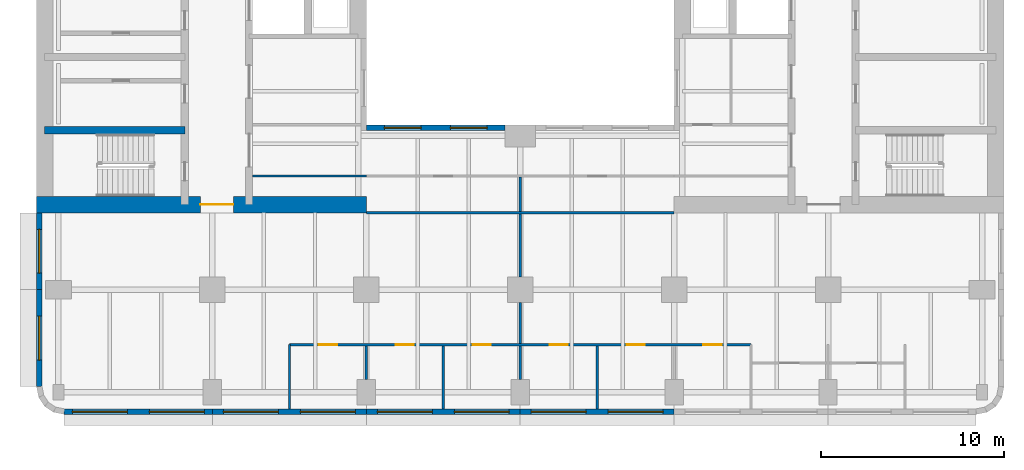
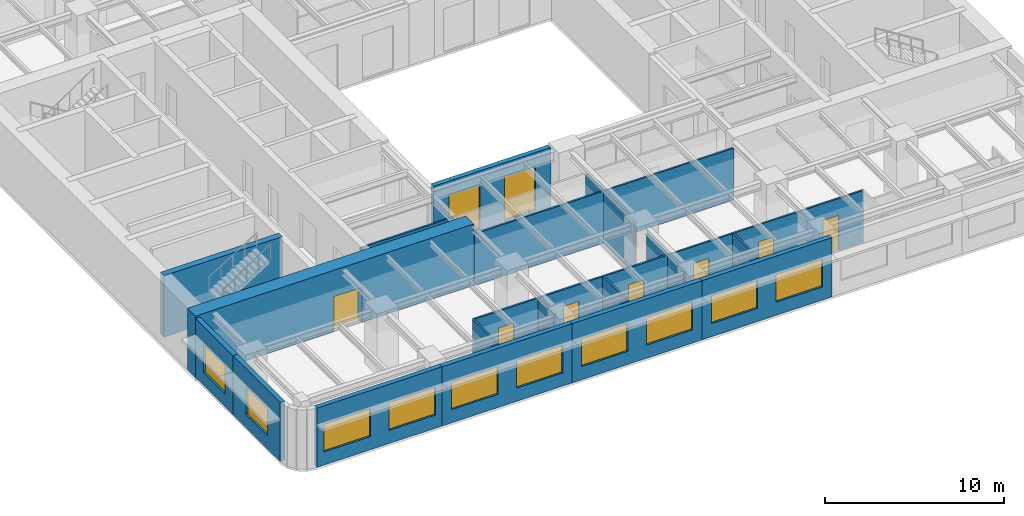
# One storey, part 3 of 11: 20 walls, 12 windows, 7 doors, 19 openings.
"""IFC4 building model written with IfcOpenShell, lengths in metres."""

from ifc_helpers import new_model, si_unit, direction, frame, frame_2d, origin, place, context, subcontext, project, spatial, rectangle, extrude, material, layer, layer_set, type_object, element, fill, save


model = new_model("IFC4")

# Units and contexts
model_context = context("Model", 3, precision=1e-05, world=origin(), true_north=direction((0.0, 1.0)))
body_context = subcontext(model_context, "Body", "Model", "MODEL_VIEW")
ifc_project = project(units=[si_unit("LENGTHUNIT", "METRE"), si_unit("AREAUNIT", "SQUARE_METRE"), si_unit("VOLUMEUNIT", "CUBIC_METRE"), si_unit("PLANEANGLEUNIT", "RADIAN"), si_unit("MASSUNIT", "GRAM", prefix="KILO")], contexts=[model_context])

# Site, building, storey
site_placement = place(None, origin())
site = spatial("IfcSite", under=ifc_project, at=site_placement, CompositionType="ELEMENT")
building_placement = place(site_placement, origin())
building = spatial("IfcBuilding", under=site, at=building_placement, Name="Claustro Exchange Tower", CompositionType="ELEMENT")
storey_placement = place(building_placement, frame((0.0, 0.0, 138.60009765625)))
storey = spatial("IfcBuildingStorey", under=building, at=storey_placement, Name="L31", CompositionType="ELEMENT", Elevation=138.60009765625)

# Wall, openings, doors
ifc_material_1 = material(Name="Laminated glass in aluminium frame", Category="aluminium")
ifc_layer_1 = layer(ifc_material_1, 0.1201171875)
ifc_layer_set_1 = layer_set([ifc_layer_1], Name="Laminated glass in aluminium frame")
wall_type_1 = type_object("IfcWallType", Name="P2 120 glazed partition", PredefinedType="PARTITIONING", material=ifc_layer_set_1)
wall_1_placement = place(storey_placement, frame((12.60009765625, 5.39990234375, 0.0), z_axis=(0.0, 0.0, 1.0), x_axis=(1.0, 0.0, 0.0)))
wall_1 = element("IfcWall", 1, at=wall_1_placement, inside=storey, type_object=wall_type_1, Name="Partition P2 L31", PredefinedType="PARTITIONING", context=body_context, shape_type="SweptSolid", body=[
    extrude(rectangle(XDim=25.199951171875, YDim=0.1201171875, at=frame_2d((12.60009765625, 0.0))), origin(), (0.0, 0.0, 1.0), 3.5498046875),
])
opening_1_placement = place(wall_1_placement, frame((1.60009765625, 0.0, 0.0)))
opening_1 = element("IfcOpeningElement", 2, at=opening_1_placement, cuts=wall_1, Name="Opening D7", PredefinedType="OPENING", context=body_context, shape_type="SweptSolid", body=[
    extrude(rectangle(XDim=1.0, YDim=2.39990234375, at=frame_2d((0.5, 1.199951171875))), frame((0.0, 0.070068359375, 0.0), z_axis=(0.0, -1.0, 0.0), x_axis=(1.0, 0.0, 0.0)), (0.0, 0.0, 1.0), 0.14013671875),
])
opening_2_placement = place(wall_1_placement, frame((5.800048828125, 0.0, 0.0)))
opening_2 = element("IfcOpeningElement", 3, at=opening_2_placement, cuts=wall_1, Name="Opening D7", PredefinedType="OPENING", context=body_context, shape_type="SweptSolid", body=[
    extrude(rectangle(XDim=1.0, YDim=2.39990234375, at=frame_2d((0.5, 1.199951171875))), frame((0.0, 0.070068359375, 0.0), z_axis=(0.0, -1.0, 0.0), x_axis=(1.0, 0.0, 0.0)), (0.0, 0.0, 1.0), 0.14013671875),
])
opening_3_placement = place(wall_1_placement, frame((10.0, 0.0, 0.0)))
opening_3 = element("IfcOpeningElement", 4, at=opening_3_placement, cuts=wall_1, Name="Opening D7", PredefinedType="OPENING", context=body_context, shape_type="SweptSolid", body=[
    extrude(rectangle(XDim=1.0, YDim=2.39990234375, at=frame_2d((0.5, 1.199951171875))), frame((0.0, 0.070068359375, 0.0), z_axis=(0.0, -1.0, 0.0), x_axis=(1.0, 0.0, 0.0)), (0.0, 0.0, 1.0), 0.14013671875),
])
opening_4_placement = place(wall_1_placement, frame((14.199951171875, 0.0, 0.0)))
opening_4 = element("IfcOpeningElement", 5, at=opening_4_placement, cuts=wall_1, Name="Opening D7", PredefinedType="OPENING", context=body_context, shape_type="SweptSolid", body=[
    extrude(rectangle(XDim=1.0, YDim=2.39990234375, at=frame_2d((0.5, 1.199951171875))), frame((0.0, 0.070068359375, 0.0), z_axis=(0.0, -1.0, 0.0), x_axis=(1.0, 0.0, 0.0)), (0.0, 0.0, 1.0), 0.14013671875),
])
opening_5_placement = place(wall_1_placement, frame((18.39990234375, 0.0, 0.0)))
opening_5 = element("IfcOpeningElement", 6, at=opening_5_placement, cuts=wall_1, Name="Opening D7", PredefinedType="OPENING", context=body_context, shape_type="SweptSolid", body=[
    extrude(rectangle(XDim=1.0, YDim=2.39990234375, at=frame_2d((0.5, 1.199951171875))), frame((0.0, 0.070068359375, 0.0), z_axis=(0.0, -1.0, 0.0), x_axis=(1.0, 0.0, 0.0)), (0.0, 0.0, 1.0), 0.14013671875),
])
opening_6_placement = place(wall_1_placement, frame((22.60009765625, 0.0, 0.0)))
opening_6 = element("IfcOpeningElement", 7, at=opening_6_placement, cuts=wall_1, Name="Opening D7", PredefinedType="OPENING", context=body_context, shape_type="SweptSolid", body=[
    extrude(rectangle(XDim=1.0, YDim=2.39990234375, at=frame_2d((0.5, 1.199951171875))), frame((0.0, 0.070068359375, 0.0), z_axis=(0.0, -1.0, 0.0), x_axis=(1.0, 0.0, 0.0)), (0.0, 0.0, 1.0), 0.14013671875),
])
ifc_material_2 = material(Name="Glass door in aluminium frame", Category="aluminium")
door_type_1 = type_object("IfcDoorType", Name="D7 1000 x 2400 glazed door", OperationType="SINGLE_SWING_LEFT", PredefinedType="DOOR", material=ifc_material_2)
door_1_placement = place(opening_1_placement, frame((1.0, 0.0, 0.0), z_axis=(0.0, 0.0, 1.0), x_axis=(-1.0, 0.0, 0.0)))
door_1 = element("IfcDoor", 8, at=door_1_placement, inside=storey, type_object=door_type_1, Name="Door D7 L31", OperationType="SINGLE_SWING_RIGHT", OverallHeight=2.39990234375, OverallWidth=1.0, PredefinedType="DOOR", context=body_context, shape_type="SweptSolid", body=[
    extrude(rectangle(XDim=1.0, YDim=2.39990234375, at=frame_2d((0.5, 1.199951171875))), frame((0.0, 0.02490234375, 0.0), z_axis=(0.0, -1.0, 0.0), x_axis=(1.0, 0.0, 0.0)), (0.0, 0.0, 1.0), 0.050048828125),
])
fill(opening_1, door_1)
door_2_placement = place(opening_2_placement, frame((1.0, 0.0, 0.0), z_axis=(0.0, 0.0, 1.0), x_axis=(-1.0, 0.0, 0.0)))
door_2 = element("IfcDoor", 9, at=door_2_placement, inside=storey, type_object=door_type_1, Name="Door D7 L31", OperationType="SINGLE_SWING_RIGHT", OverallHeight=2.39990234375, OverallWidth=1.0, PredefinedType="DOOR", context=body_context, shape_type="SweptSolid", body=[
    extrude(rectangle(XDim=1.0, YDim=2.39990234375, at=frame_2d((0.5, 1.199951171875))), frame((0.0, 0.02490234375, 0.0), z_axis=(0.0, -1.0, 0.0), x_axis=(1.0, 0.0, 0.0)), (0.0, 0.0, 1.0), 0.050048828125),
])
fill(opening_2, door_2)
door_3_placement = place(opening_3_placement, frame((1.0, 0.0, 0.0), z_axis=(0.0, 0.0, 1.0), x_axis=(-1.0, 0.0, 0.0)))
door_3 = element("IfcDoor", 10, at=door_3_placement, inside=storey, type_object=door_type_1, Name="Door D7 L31", OperationType="SINGLE_SWING_RIGHT", OverallHeight=2.39990234375, OverallWidth=1.0, PredefinedType="DOOR", context=body_context, shape_type="SweptSolid", body=[
    extrude(rectangle(XDim=1.0, YDim=2.39990234375, at=frame_2d((0.5, 1.199951171875))), frame((0.0, 0.02490234375, 0.0), z_axis=(0.0, -1.0, 0.0), x_axis=(1.0, 0.0, 0.0)), (0.0, 0.0, 1.0), 0.050048828125),
])
fill(opening_3, door_3)
door_4_placement = place(opening_4_placement, frame((1.0, 0.0, 0.0), z_axis=(0.0, 0.0, 1.0), x_axis=(-1.0, 0.0, 0.0)))
door_4 = element("IfcDoor", 11, at=door_4_placement, inside=storey, type_object=door_type_1, Name="Door D7 L31", OperationType="SINGLE_SWING_LEFT", OverallHeight=2.39990234375, OverallWidth=1.0, PredefinedType="DOOR", context=body_context, shape_type="SweptSolid", body=[
    extrude(rectangle(XDim=1.0, YDim=2.39990234375, at=frame_2d((0.5, 1.199951171875))), frame((0.0, 0.02490234375, 0.0), z_axis=(0.0, -1.0, 0.0), x_axis=(1.0, 0.0, 0.0)), (0.0, 0.0, 1.0), 0.050048828125),
])
fill(opening_4, door_4)
door_5_placement = place(opening_5_placement, frame((1.0, 0.0, 0.0), z_axis=(0.0, 0.0, 1.0), x_axis=(-1.0, 0.0, 0.0)))
door_5 = element("IfcDoor", 12, at=door_5_placement, inside=storey, type_object=door_type_1, Name="Door D7 L31", OperationType="SINGLE_SWING_RIGHT", OverallHeight=2.39990234375, OverallWidth=1.0, PredefinedType="DOOR", context=body_context, shape_type="SweptSolid", body=[
    extrude(rectangle(XDim=1.0, YDim=2.39990234375, at=frame_2d((0.5, 1.199951171875))), frame((0.0, 0.02490234375, 0.0), z_axis=(0.0, -1.0, 0.0), x_axis=(1.0, 0.0, 0.0)), (0.0, 0.0, 1.0), 0.050048828125),
])
fill(opening_5, door_5)
door_6_placement = place(opening_6_placement, frame((1.0, 0.0, 0.0), z_axis=(0.0, 0.0, 1.0), x_axis=(-1.0, 0.0, 0.0)))
door_6 = element("IfcDoor", 13, at=door_6_placement, inside=storey, type_object=door_type_1, Name="Door D7 L31", OperationType="SINGLE_SWING_LEFT", OverallHeight=2.39990234375, OverallWidth=1.0, PredefinedType="DOOR", context=body_context, shape_type="SweptSolid", body=[
    extrude(rectangle(XDim=1.0, YDim=2.39990234375, at=frame_2d((0.5, 1.199951171875))), frame((0.0, 0.02490234375, 0.0), z_axis=(0.0, -1.0, 0.0), x_axis=(1.0, 0.0, 0.0)), (0.0, 0.0, 1.0), 0.050048828125),
])
fill(opening_6, door_6)

# Walls
wall_2_placement = place(storey_placement, frame((12.60009765625, 1.89794921875, 0.0), z_axis=(0.0, 0.0, 1.0), x_axis=(0.0, 1.0, 0.0)))
element("IfcWall", 14, at=wall_2_placement, inside=storey, type_object=wall_type_1, Name="Partition P2 L31", PredefinedType="PARTITIONING", context=body_context, shape_type="SweptSolid", body=[
    extrude(rectangle(XDim=3.501953125, YDim=0.1201171875, at=frame_2d((1.7509765625, 0.0))), origin(), (0.0, 0.0, 1.0), 3.559814453125),
])
wall_3_placement = place(storey_placement, frame((16.800048828125, 3.4990234375, 0.0), z_axis=(0.0, 0.0, 1.0), x_axis=(0.0, 1.0, 0.0)))
element("IfcWall", 15, at=wall_3_placement, inside=storey, type_object=wall_type_1, Name="Partition P2 L31", PredefinedType="PARTITIONING", context=body_context, shape_type="SweptSolid", body=[
    extrude(rectangle(XDim=1.843017578125, YDim=0.1201171875, at=frame_2d((0.92138671875, 0.0))), origin(), (0.0, 0.0, 1.0), 3.5498046875),
])
wall_4_placement = place(storey_placement, frame((21.0, 1.89794921875, 0.0), z_axis=(0.0, 0.0, 1.0), x_axis=(0.0, 1.0, 0.0)))
element("IfcWall", 16, at=wall_4_placement, inside=storey, type_object=wall_type_1, Name="Partition P2 L31", PredefinedType="PARTITIONING", context=body_context, shape_type="SweptSolid", body=[
    extrude(rectangle(XDim=3.444091796875, YDim=0.1201171875, at=frame_2d((1.72216796875, 0.0))), origin(), (0.0, 0.0, 1.0), 3.559814453125),
])
wall_5_placement = place(storey_placement, frame((25.199951171875, 3.4990234375, 0.0), z_axis=(0.0, 0.0, 1.0), x_axis=(0.0, 1.0, 0.0)))
element("IfcWall", 17, at=wall_5_placement, inside=storey, type_object=wall_type_1, Name="Partition P2 L31", PredefinedType="PARTITIONING", context=body_context, shape_type="SweptSolid", body=[
    extrude(rectangle(XDim=1.843017578125, YDim=0.1201171875, at=frame_2d((0.92138671875, 0.0))), origin(), (0.0, 0.0, 1.0), 3.5498046875),
])
wall_6_placement = place(storey_placement, frame((29.39990234375, 1.89794921875, 0.0), z_axis=(0.0, 0.0, 1.0), x_axis=(0.0, 1.0, 0.0)))
element("IfcWall", 18, at=wall_6_placement, inside=storey, type_object=wall_type_1, Name="Partition P2 L31", PredefinedType="PARTITIONING", context=body_context, shape_type="SweptSolid", body=[
    extrude(rectangle(XDim=3.444091796875, YDim=0.1201171875, at=frame_2d((1.72216796875, 0.0))), origin(), (0.0, 0.0, 1.0), 3.559814453125),
])
wall_7_placement = place(storey_placement, frame((25.199951171875, 5.4580078125, 0.0), z_axis=(0.0, 0.0, 1.0), x_axis=(0.0, 1.0, 0.0)))
element("IfcWall", 19, at=wall_7_placement, inside=storey, type_object=wall_type_1, Name="Partition P2 L31", PredefinedType="PARTITIONING", context=body_context, shape_type="SweptSolid", body=[
    extrude(rectangle(XDim=2.242919921875, YDim=0.1201171875, at=frame_2d((1.12158203125, 0.0))), origin(), (0.0, 0.0, 1.0), 3.5498046875),
])
wall_8_placement = place(storey_placement, frame((25.199951171875, 9.09912109375, 0.0), z_axis=(0.0, 0.0, 1.0), x_axis=(0.0, 1.0, 0.0)))
element("IfcWall", 20, at=wall_8_placement, inside=storey, type_object=wall_type_1, Name="Partition P2 L31", PredefinedType="PARTITIONING", context=body_context, shape_type="SweptSolid", body=[
    extrude(rectangle(XDim=3.44287109375, YDim=0.1201171875, at=frame_2d((1.721435546875, 0.0))), origin(), (0.0, 0.0, 1.0), 3.5498046875),
])
wall_9_placement = place(storey_placement, frame((10.597900390625, 14.60009765625, 0.0), z_axis=(0.0, 0.0, 1.0), x_axis=(1.0, 0.0, 0.0)))
element("IfcWall", 21, at=wall_9_placement, inside=storey, type_object=wall_type_1, Name="Partition P2 L31", PredefinedType="PARTITIONING", context=body_context, shape_type="SweptSolid", body=[
    extrude(rectangle(XDim=6.2041015625, YDim=0.1201171875, at=frame_2d((3.10205078125, 0.0))), origin(), (0.0, 0.0, 1.0), 3.5498046875),
])
wall_10_placement = place(storey_placement, frame((25.199951171875, 12.657958984375, 0.0), z_axis=(0.0, 0.0, 1.0), x_axis=(0.0, 1.0, 0.0)))
element("IfcWall", 22, at=wall_10_placement, inside=storey, type_object=wall_type_1, Name="Partition P2 L31", PredefinedType="PARTITIONING", context=body_context, shape_type="SweptSolid", body=[
    extrude(rectangle(XDim=1.884033203125, YDim=0.1201171875, at=frame_2d((0.94189453125, 0.0))), origin(), (0.0, 0.0, 1.0), 3.5498046875),
])
wall_11_placement = place(storey_placement, frame((16.800048828125, 12.60009765625, 0.0), z_axis=(0.0, 0.0, 1.0), x_axis=(1.0, 0.0, 0.0)))
element("IfcWall", 23, at=wall_11_placement, inside=storey, type_object=wall_type_1, Name="Partition P2 L31", PredefinedType="PARTITIONING", context=body_context, shape_type="SweptSolid", body=[
    extrude(rectangle(XDim=16.800048828125, YDim=0.1201171875, at=frame_2d((8.39990234375, 0.0))), origin(), (0.0, 0.0, 1.0), 3.5498046875),
])

# Wall, openings, windows
ifc_material_3 = material(Name="Concrete HA-40 (C40/50), precast, white cement, acid-etched", Category="concrete")
ifc_layer_2 = layer(ifc_material_3, 0.300048828125)
ifc_layer_set_2 = layer_set([ifc_layer_2], Name="Concrete HA-40 (C40/50), precast, white cement, acid-etched")
wall_type_2 = type_object("IfcWallType", Name="PC1 300 precast concrete pier panel", PredefinedType="SOLIDWALL", material=ifc_layer_set_2)
wall_12_placement = place(storey_placement, frame((33.60009765625, 1.75, 0.0), z_axis=(0.0, 0.0, 1.0), x_axis=(-1.0, 0.0, 0.0)))
wall_12 = element("IfcWall", 24, at=wall_12_placement, inside=storey, type_object=wall_type_2, Name="Precast pier panel PC1 L31", PredefinedType="SOLIDWALL", context=body_context, shape_type="SweptSolid", body=[
    extrude(rectangle(XDim=8.400146484375, YDim=0.300048828125, at=frame_2d((4.2001953125, 0.0))), origin(), (0.0, 0.0, 1.0), 4.0498046875),
])
opening_7_placement = place(wall_12_placement, frame((0.60009765625, 0.0, 0.89990234375)))
opening_7 = element("IfcOpeningElement", 25, at=opening_7_placement, cuts=wall_12, Name="Opening W1", PredefinedType="OPENING", context=body_context, shape_type="SweptSolid", body=[
    extrude(rectangle(XDim=3.0, YDim=1.89990234375, at=frame_2d((1.5, 0.949951171875))), frame((0.0, 0.159912109375, 0.0), z_axis=(0.0, -1.0, 0.0), x_axis=(1.0, 0.0, 0.0)), (0.0, 0.0, 1.0), 0.320068359375),
])
opening_8_placement = place(wall_12_placement, frame((4.800048828125, 0.0, 0.89990234375)))
opening_8 = element("IfcOpeningElement", 26, at=opening_8_placement, cuts=wall_12, Name="Opening W1", PredefinedType="OPENING", context=body_context, shape_type="SweptSolid", body=[
    extrude(rectangle(XDim=3.0, YDim=1.89990234375, at=frame_2d((1.5, 0.949951171875))), frame((0.0, 0.159912109375, 0.0), z_axis=(0.0, -1.0, 0.0), x_axis=(1.0, 0.0, 0.0)), (0.0, 0.0, 1.0), 0.320068359375),
])
ifc_material_4 = material(Name="Aluminium frame, clear double glazing", Category="aluminium")
window_type_1 = type_object("IfcWindowType", Name="W1 3000 x 1900 window", PartitioningType="SINGLE_PANEL", PredefinedType="WINDOW", material=ifc_material_4)
window_1_placement = place(opening_7_placement, origin())
window_1 = element("IfcWindow", 27, at=window_1_placement, inside=storey, type_object=window_type_1, Name="Window W1 L31", OverallHeight=1.89990234375, OverallWidth=3.0, PartitioningType="SINGLE_PANEL", PredefinedType="WINDOW", context=body_context, shape_type="SweptSolid", body=[
    extrude(rectangle(XDim=3.0, YDim=1.89990234375, at=frame_2d((1.5, 0.949951171875))), frame((0.0, 0.030029296875, 0.0), z_axis=(0.0, -1.0, 0.0), x_axis=(1.0, 0.0, 0.0)), (0.0, 0.0, 1.0), 0.06005859375),
])
fill(opening_7, window_1)
window_2_placement = place(opening_8_placement, origin())
window_2 = element("IfcWindow", 28, at=window_2_placement, inside=storey, type_object=window_type_1, Name="Window W1 L31", OverallHeight=1.89990234375, OverallWidth=3.0, PartitioningType="SINGLE_PANEL", PredefinedType="WINDOW", context=body_context, shape_type="SweptSolid", body=[
    extrude(rectangle(XDim=3.0, YDim=1.89990234375, at=frame_2d((1.5, 0.949951171875))), frame((0.0, 0.030029296875, 0.0), z_axis=(0.0, -1.0, 0.0), x_axis=(1.0, 0.0, 0.0)), (0.0, 0.0, 1.0), 0.06005859375),
])
fill(opening_8, window_2)

wall_13_placement = place(storey_placement, frame((25.199951171875, 1.75, 0.0), z_axis=(0.0, 0.0, 1.0), x_axis=(-1.0, 0.0, 0.0)))
wall_13 = element("IfcWall", 29, at=wall_13_placement, inside=storey, type_object=wall_type_2, Name="Precast pier panel PC1 L31", PredefinedType="SOLIDWALL", context=body_context, shape_type="SweptSolid", body=[
    extrude(rectangle(XDim=8.39990234375, YDim=0.300048828125, at=frame_2d((4.199951171875, 0.0))), origin(), (0.0, 0.0, 1.0), 4.0498046875),
])
opening_9_placement = place(wall_13_placement, frame((0.60009765625, 0.0, 0.89990234375)))
opening_9 = element("IfcOpeningElement", 30, at=opening_9_placement, cuts=wall_13, Name="Opening W1", PredefinedType="OPENING", context=body_context, shape_type="SweptSolid", body=[
    extrude(rectangle(XDim=3.0, YDim=1.89990234375, at=frame_2d((1.5, 0.949951171875))), frame((0.0, 0.159912109375, 0.0), z_axis=(0.0, -1.0, 0.0), x_axis=(1.0, 0.0, 0.0)), (0.0, 0.0, 1.0), 0.320068359375),
])
opening_10_placement = place(wall_13_placement, frame((4.800048828125, 0.0, 0.89990234375)))
opening_10 = element("IfcOpeningElement", 31, at=opening_10_placement, cuts=wall_13, Name="Opening W1", PredefinedType="OPENING", context=body_context, shape_type="SweptSolid", body=[
    extrude(rectangle(XDim=3.0, YDim=1.89990234375, at=frame_2d((1.5, 0.949951171875))), frame((0.0, 0.159912109375, 0.0), z_axis=(0.0, -1.0, 0.0), x_axis=(1.0, 0.0, 0.0)), (0.0, 0.0, 1.0), 0.320068359375),
])
window_3_placement = place(opening_9_placement, origin())
window_3 = element("IfcWindow", 32, at=window_3_placement, inside=storey, type_object=window_type_1, Name="Window W1 L31", OverallHeight=1.89990234375, OverallWidth=3.0, PartitioningType="SINGLE_PANEL", PredefinedType="WINDOW", context=body_context, shape_type="SweptSolid", body=[
    extrude(rectangle(XDim=3.0, YDim=1.89990234375, at=frame_2d((1.5, 0.949951171875))), frame((0.0, 0.030029296875, 0.0), z_axis=(0.0, -1.0, 0.0), x_axis=(1.0, 0.0, 0.0)), (0.0, 0.0, 1.0), 0.06005859375),
])
fill(opening_9, window_3)
window_4_placement = place(opening_10_placement, origin())
window_4 = element("IfcWindow", 33, at=window_4_placement, inside=storey, type_object=window_type_1, Name="Window W1 L31", OverallHeight=1.89990234375, OverallWidth=3.0, PartitioningType="SINGLE_PANEL", PredefinedType="WINDOW", context=body_context, shape_type="SweptSolid", body=[
    extrude(rectangle(XDim=3.0, YDim=1.89990234375, at=frame_2d((1.5, 0.949951171875))), frame((0.0, 0.030029296875, 0.0), z_axis=(0.0, -1.0, 0.0), x_axis=(1.0, 0.0, 0.0)), (0.0, 0.0, 1.0), 0.06005859375),
])
fill(opening_10, window_4)

wall_14_placement = place(storey_placement, frame((16.800048828125, 1.75, 0.0), z_axis=(0.0, 0.0, 1.0), x_axis=(-1.0, 0.0, 0.0)))
wall_14 = element("IfcWall", 34, at=wall_14_placement, inside=storey, type_object=wall_type_2, Name="Precast pier panel PC1 L31", PredefinedType="SOLIDWALL", context=body_context, shape_type="SweptSolid", body=[
    extrude(rectangle(XDim=8.400146484375, YDim=0.300048828125, at=frame_2d((4.2001953125, 0.0))), origin(), (0.0, 0.0, 1.0), 4.0498046875),
])
opening_11_placement = place(wall_14_placement, frame((0.60009765625, 0.0, 0.89990234375)))
opening_11 = element("IfcOpeningElement", 35, at=opening_11_placement, cuts=wall_14, Name="Opening W1", PredefinedType="OPENING", context=body_context, shape_type="SweptSolid", body=[
    extrude(rectangle(XDim=3.0, YDim=1.89990234375, at=frame_2d((1.5, 0.949951171875))), frame((0.0, 0.159912109375, 0.0), z_axis=(0.0, -1.0, 0.0), x_axis=(1.0, 0.0, 0.0)), (0.0, 0.0, 1.0), 0.320068359375),
])
opening_12_placement = place(wall_14_placement, frame((4.800048828125, 0.0, 0.89990234375)))
opening_12 = element("IfcOpeningElement", 36, at=opening_12_placement, cuts=wall_14, Name="Opening W1", PredefinedType="OPENING", context=body_context, shape_type="SweptSolid", body=[
    extrude(rectangle(XDim=3.0, YDim=1.89990234375, at=frame_2d((1.5, 0.949951171875))), frame((0.0, 0.159912109375, 0.0), z_axis=(0.0, -1.0, 0.0), x_axis=(1.0, 0.0, 0.0)), (0.0, 0.0, 1.0), 0.320068359375),
])
window_5_placement = place(opening_11_placement, origin())
window_5 = element("IfcWindow", 37, at=window_5_placement, inside=storey, type_object=window_type_1, Name="Window W1 L31", OverallHeight=1.89990234375, OverallWidth=3.0, PartitioningType="SINGLE_PANEL", PredefinedType="WINDOW", context=body_context, shape_type="SweptSolid", body=[
    extrude(rectangle(XDim=3.0, YDim=1.89990234375, at=frame_2d((1.5, 0.949951171875))), frame((0.0, 0.030029296875, 0.0), z_axis=(0.0, -1.0, 0.0), x_axis=(1.0, 0.0, 0.0)), (0.0, 0.0, 1.0), 0.06005859375),
])
fill(opening_11, window_5)
window_6_placement = place(opening_12_placement, origin())
window_6 = element("IfcWindow", 38, at=window_6_placement, inside=storey, type_object=window_type_1, Name="Window W1 L31", OverallHeight=1.89990234375, OverallWidth=3.0, PartitioningType="SINGLE_PANEL", PredefinedType="WINDOW", context=body_context, shape_type="SweptSolid", body=[
    extrude(rectangle(XDim=3.0, YDim=1.89990234375, at=frame_2d((1.5, 0.949951171875))), frame((0.0, 0.030029296875, 0.0), z_axis=(0.0, -1.0, 0.0), x_axis=(1.0, 0.0, 0.0)), (0.0, 0.0, 1.0), 0.06005859375),
])
fill(opening_12, window_6)

wall_15_placement = place(storey_placement, frame((8.39990234375, 1.75, 0.0), z_axis=(0.0, 0.0, 1.0), x_axis=(-1.0, 0.0, 0.0)))
wall_15 = element("IfcWall", 39, at=wall_15_placement, inside=storey, type_object=wall_type_2, Name="Precast pier panel PC1 L31", PredefinedType="SOLIDWALL", context=body_context, shape_type="SweptSolid", body=[
    extrude(rectangle(XDim=8.085205078125, YDim=0.300048828125, at=frame_2d((4.04248046875, 0.0))), origin(), (0.0, 0.0, 1.0), 4.0498046875),
])
opening_13_placement = place(wall_15_placement, frame((0.442626953125, 0.0, 0.89990234375)))
opening_13 = element("IfcOpeningElement", 40, at=opening_13_placement, cuts=wall_15, Name="Opening W1", PredefinedType="OPENING", context=body_context, shape_type="SweptSolid", body=[
    extrude(rectangle(XDim=3.0, YDim=1.89990234375, at=frame_2d((1.5, 0.949951171875))), frame((0.0, 0.159912109375, 0.0), z_axis=(0.0, -1.0, 0.0), x_axis=(1.0, 0.0, 0.0)), (0.0, 0.0, 1.0), 0.320068359375),
])
opening_14_placement = place(wall_15_placement, frame((4.642578125, 0.0, 0.89990234375)))
opening_14 = element("IfcOpeningElement", 41, at=opening_14_placement, cuts=wall_15, Name="Opening W1", PredefinedType="OPENING", context=body_context, shape_type="SweptSolid", body=[
    extrude(rectangle(XDim=3.0, YDim=1.89990234375, at=frame_2d((1.5, 0.949951171875))), frame((0.0, 0.159912109375, 0.0), z_axis=(0.0, -1.0, 0.0), x_axis=(1.0, 0.0, 0.0)), (0.0, 0.0, 1.0), 0.320068359375),
])
window_7_placement = place(opening_13_placement, origin())
window_7 = element("IfcWindow", 42, at=window_7_placement, inside=storey, type_object=window_type_1, Name="Window W1 L31", OverallHeight=1.89990234375, OverallWidth=3.0, PartitioningType="SINGLE_PANEL", PredefinedType="WINDOW", context=body_context, shape_type="SweptSolid", body=[
    extrude(rectangle(XDim=3.0, YDim=1.89990234375, at=frame_2d((1.5, 0.949951171875))), frame((0.0, 0.030029296875, 0.0), z_axis=(0.0, -1.0, 0.0), x_axis=(1.0, 0.0, 0.0)), (0.0, 0.0, 1.0), 0.06005859375),
])
fill(opening_13, window_7)
window_8_placement = place(opening_14_placement, origin())
window_8 = element("IfcWindow", 43, at=window_8_placement, inside=storey, type_object=window_type_1, Name="Window W1 L31", OverallHeight=1.89990234375, OverallWidth=3.0, PartitioningType="SINGLE_PANEL", PredefinedType="WINDOW", context=body_context, shape_type="SweptSolid", body=[
    extrude(rectangle(XDim=3.0, YDim=1.89990234375, at=frame_2d((1.5, 0.949951171875))), frame((0.0, 0.030029296875, 0.0), z_axis=(0.0, -1.0, 0.0), x_axis=(1.0, 0.0, 0.0)), (0.0, 0.0, 1.0), 0.06005859375),
])
fill(opening_14, window_8)

# Wall, opening, window
wall_16_placement = place(storey_placement, frame((-1.050048828125, 3.11474609375, 0.0), z_axis=(0.0, 0.0, 1.0), x_axis=(0.0, 1.0, 0.0)))
wall_16 = element("IfcWall", 44, at=wall_16_placement, inside=storey, type_object=wall_type_2, Name="Precast pier panel PC1 L31", PredefinedType="SOLIDWALL", context=body_context, shape_type="SweptSolid", body=[
    extrude(rectangle(XDim=5.28515625, YDim=0.300048828125, at=frame_2d((2.642578125, 0.0))), origin(), (0.0, 0.0, 1.0), 4.0498046875),
])
opening_15_placement = place(wall_16_placement, frame((1.442626953125, 0.0, 0.89990234375)))
opening_15 = element("IfcOpeningElement", 45, at=opening_15_placement, cuts=wall_16, Name="Opening W2", PredefinedType="OPENING", context=body_context, shape_type="SweptSolid", body=[
    extrude(rectangle(XDim=2.39990234375, YDim=1.89990234375, at=frame_2d((1.199951171875, 0.949951171875))), frame((0.0, 0.159912109375, 0.0), z_axis=(0.0, -1.0, 0.0), x_axis=(1.0, 0.0, 0.0)), (0.0, 0.0, 1.0), 0.320068359375),
])
ifc_material_5 = material(Name="Aluminium frame, clear double glazing", Category="aluminium")
window_type_2 = type_object("IfcWindowType", Name="W2 2400 x 1900 window", PartitioningType="SINGLE_PANEL", PredefinedType="WINDOW", material=ifc_material_5)
window_9_placement = place(opening_15_placement, origin())
window_9 = element("IfcWindow", 46, at=window_9_placement, inside=storey, type_object=window_type_2, Name="Window W2 L31", OverallHeight=1.89990234375, OverallWidth=2.39990234375, PartitioningType="SINGLE_PANEL", PredefinedType="WINDOW", context=body_context, shape_type="SweptSolid", body=[
    extrude(rectangle(XDim=2.39990234375, YDim=1.89990234375, at=frame_2d((1.199951171875, 0.949951171875))), frame((0.0, 0.030029296875, 0.0), z_axis=(0.0, -1.0, 0.0), x_axis=(1.0, 0.0, 0.0)), (0.0, 0.0, 1.0), 0.06005859375),
])
fill(opening_15, window_9)

wall_17_placement = place(storey_placement, frame((-1.050048828125, 8.39990234375, 0.0), z_axis=(0.0, 0.0, 1.0), x_axis=(0.0, 1.0, 0.0)))
wall_17 = element("IfcWall", 47, at=wall_17_placement, inside=storey, type_object=wall_type_2, Name="Precast pier panel PC1 L31", PredefinedType="SOLIDWALL", context=body_context, shape_type="SweptSolid", body=[
    extrude(rectangle(XDim=4.2001953125, YDim=0.300048828125, at=frame_2d((2.10009765625, 0.0))), origin(), (0.0, 0.0, 1.0), 4.0498046875),
])
opening_16_placement = place(wall_17_placement, frame((0.89990234375, 0.0, 0.89990234375)))
opening_16 = element("IfcOpeningElement", 48, at=opening_16_placement, cuts=wall_17, Name="Opening W2", PredefinedType="OPENING", context=body_context, shape_type="SweptSolid", body=[
    extrude(rectangle(XDim=2.39990234375, YDim=1.89990234375, at=frame_2d((1.199951171875, 0.949951171875))), frame((0.0, 0.159912109375, 0.0), z_axis=(0.0, -1.0, 0.0), x_axis=(1.0, 0.0, 0.0)), (0.0, 0.0, 1.0), 0.320068359375),
])
window_10_placement = place(opening_16_placement, origin())
window_10 = element("IfcWindow", 49, at=window_10_placement, inside=storey, type_object=window_type_2, Name="Window W2 L31", OverallHeight=1.89990234375, OverallWidth=2.39990234375, PartitioningType="SINGLE_PANEL", PredefinedType="WINDOW", context=body_context, shape_type="SweptSolid", body=[
    extrude(rectangle(XDim=2.39990234375, YDim=1.89990234375, at=frame_2d((1.199951171875, 0.949951171875))), frame((0.0, 0.030029296875, 0.0), z_axis=(0.0, -1.0, 0.0), x_axis=(1.0, 0.0, 0.0)), (0.0, 0.0, 1.0), 0.06005859375),
])
fill(opening_16, window_10)

# Wall, openings, windows
wall_18_placement = place(storey_placement, frame((16.800048828125, 17.25, 0.0), z_axis=(0.0, 0.0, 1.0), x_axis=(1.0, 0.0, 0.0)))
wall_18 = element("IfcWall", 50, at=wall_18_placement, inside=storey, type_object=wall_type_2, Name="Precast pier panel PC1 L31", PredefinedType="SOLIDWALL", context=body_context, shape_type="SweptSolid", body=[
    extrude(rectangle(XDim=7.574951171875, YDim=0.300048828125, at=frame_2d((3.78759765625, 0.0))), origin(), (0.0, 0.0, 1.0), 4.0498046875),
])
opening_17_placement = place(wall_18_placement, frame((0.987548828125, 0.0, 0.10009765625)))
opening_17 = element("IfcOpeningElement", 51, at=opening_17_placement, cuts=wall_18, Name="Opening W-A", PredefinedType="OPENING", context=body_context, shape_type="SweptSolid", body=[
    extrude(rectangle(XDim=2.0, YDim=3.0, at=frame_2d((1.0, 1.5))), frame((0.0, 0.159912109375, 0.0), z_axis=(0.0, -1.0, 0.0), x_axis=(1.0, 0.0, 0.0)), (0.0, 0.0, 1.0), 0.320068359375),
])
opening_18_placement = place(wall_18_placement, frame((4.58740234375, 0.0, 0.10009765625)))
opening_18 = element("IfcOpeningElement", 52, at=opening_18_placement, cuts=wall_18, Name="Opening W-A", PredefinedType="OPENING", context=body_context, shape_type="SweptSolid", body=[
    extrude(rectangle(XDim=2.0, YDim=3.0, at=frame_2d((1.0, 1.5))), frame((0.0, 0.159912109375, 0.0), z_axis=(0.0, -1.0, 0.0), x_axis=(1.0, 0.0, 0.0)), (0.0, 0.0, 1.0), 0.320068359375),
])
ifc_material_6 = material(Name="Aluminium frame, clear double glazing", Category="aluminium")
window_type_3 = type_object("IfcWindowType", Name="W-A 2000 x 3000 arcade window", PartitioningType="SINGLE_PANEL", PredefinedType="WINDOW", material=ifc_material_6)
window_11_placement = place(opening_17_placement, origin())
window_11 = element("IfcWindow", 53, at=window_11_placement, inside=storey, type_object=window_type_3, Name="Window W-A L31", OverallHeight=3.0, OverallWidth=2.0, PartitioningType="SINGLE_PANEL", PredefinedType="WINDOW", context=body_context, shape_type="SweptSolid", body=[
    extrude(rectangle(XDim=2.0, YDim=3.0, at=frame_2d((1.0, 1.5))), frame((0.0, 0.030029296875, 0.0), z_axis=(0.0, -1.0, 0.0), x_axis=(1.0, 0.0, 0.0)), (0.0, 0.0, 1.0), 0.06005859375),
])
fill(opening_17, window_11)
window_12_placement = place(opening_18_placement, origin())
window_12 = element("IfcWindow", 54, at=window_12_placement, inside=storey, type_object=window_type_3, Name="Window W-A L31", OverallHeight=3.0, OverallWidth=2.0, PartitioningType="SINGLE_PANEL", PredefinedType="WINDOW", context=body_context, shape_type="SweptSolid", body=[
    extrude(rectangle(XDim=2.0, YDim=3.0, at=frame_2d((1.0, 1.5))), frame((0.0, 0.030029296875, 0.0), z_axis=(0.0, -1.0, 0.0), x_axis=(1.0, 0.0, 0.0)), (0.0, 0.0, 1.0), 0.06005859375),
])
fill(opening_18, window_12)

# Wall, opening, door
ifc_material_7 = material(Name="Concrete HA-70 (C70/85)", Category="concrete")
ifc_layer_3 = layer(ifc_material_7, 0.89990234375)
ifc_layer_set_3 = layer_set([ifc_layer_3], Name="Concrete HA-70 (C70/85)")
wall_type_3 = type_object("IfcWallType", Name="SW1 900 core shear wall", PredefinedType="SHEAR", material=ifc_layer_set_3)
wall_19_placement = place(storey_placement, frame((-1.199951171875, 13.050048828125, 0.0), z_axis=(0.0, 0.0, 1.0), x_axis=(1.0, 0.0, 0.0)))
wall_19 = element("IfcWall", 55, at=wall_19_placement, inside=storey, type_object=wall_type_3, Name="Core wall SW1 W core S face L31", PredefinedType="SHEAR", context=body_context, shape_type="SweptSolid", body=[
    extrude(rectangle(XDim=18.0, YDim=0.89990234375, at=frame_2d((9.0, 0.0))), origin(), (0.0, 0.0, 1.0), 4.199951171875),
])
opening_19_placement = place(wall_19_placement, frame((8.949951171875, 0.0, 0.0)))
opening_19 = element("IfcOpeningElement", 56, at=opening_19_placement, cuts=wall_19, Name="Opening D3", PredefinedType="OPENING", context=body_context, shape_type="SweptSolid", body=[
    extrude(rectangle(XDim=1.800048828125, YDim=2.39990234375, at=frame_2d((0.89990234375, 1.199951171875))), frame((0.0, 0.4599609375, 0.0), z_axis=(0.0, -1.0, 0.0), x_axis=(1.0, 0.0, 0.0)), (0.0, 0.0, 1.0), 0.919921875),
])
ifc_material_8 = material(Name="Steel fire door, painted", Category="steel")
door_type_2 = type_object("IfcDoorType", Name="D3 1800 x 2400 fire-rated lobby double door", OperationType="DOUBLE_DOOR_SINGLE_SWING", PredefinedType="DOOR", material=ifc_material_8)
door_7_placement = place(opening_19_placement, frame((1.800048828125, 0.0, 0.0), z_axis=(0.0, 0.0, 1.0), x_axis=(-1.0, 0.0, 0.0)))
door_7 = element("IfcDoor", 57, at=door_7_placement, inside=storey, type_object=door_type_2, Name="Lift lobby door D3 L31", OperationType="DOUBLE_DOOR_SINGLE_SWING", OverallHeight=2.39990234375, OverallWidth=1.800048828125, PredefinedType="DOOR", context=body_context, shape_type="SweptSolid", body=[
    extrude(rectangle(XDim=1.800048828125, YDim=2.39990234375, at=frame_2d((0.89990234375, 1.199951171875))), frame((0.0, 0.02490234375, 0.0), z_axis=(0.0, -1.0, 0.0), x_axis=(1.0, 0.0, 0.0)), (0.0, 0.0, 1.0), 0.050048828125),
])
fill(opening_19, door_7)

# Wall
ifc_material_9 = material(Name="Concrete HA-50 (C50/60)", Category="concrete")
ifc_layer_4 = layer(ifc_material_9, 0.39990234375)
ifc_layer_set_4 = layer_set([ifc_layer_4], Name="Concrete HA-50 (C50/60)")
wall_type_4 = type_object("IfcWallType", Name="SW4 400 internal core wall", PredefinedType="SHEAR", material=ifc_layer_set_4)
wall_20_placement = place(storey_placement, frame((-0.75, 17.10009765625, 0.0), z_axis=(0.0, 0.0, 1.0), x_axis=(1.0, 0.0, 0.0)))
element("IfcWall", 58, at=wall_20_placement, inside=storey, type_object=wall_type_4, Name="Internal core wall SW4 W core L31", PredefinedType="SHEAR", context=body_context, shape_type="SweptSolid", body=[
    extrude(rectangle(XDim=7.64990234375, YDim=0.39990234375, at=frame_2d((3.824951171875, 0.0))), origin(), (0.0, 0.0, 1.0), 4.199951171875),
])

save(model, "model.ifc")
